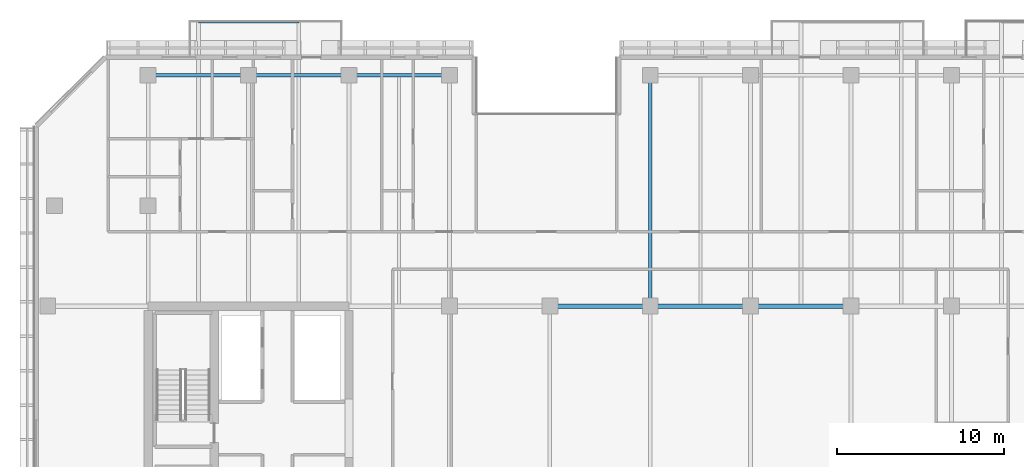
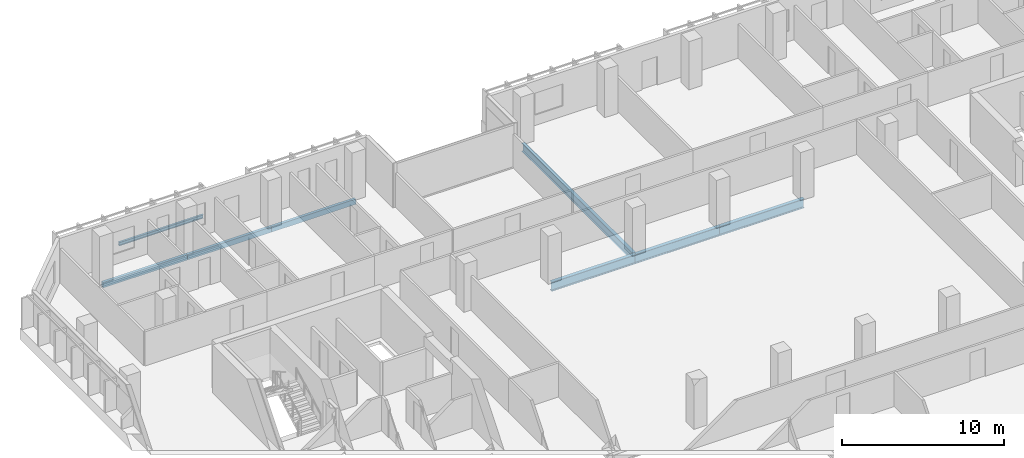
# One storey, part 7 of 23: 8 beams.
"""IFC4 building model written with IfcOpenShell, lengths in metres."""

from ifc_helpers import new_model, si_unit, direction, frame, origin, origin_2d, place, context, subcontext, project, spatial, hollow_rectangle, i_section, extrude, material, material_profile, profile_set, type_object, element, save


model = new_model("IFC4")

# Units and contexts
model_context = context("Model", 3, precision=1e-05, world=origin(), true_north=direction((0.0, 1.0)))
body_context = subcontext(model_context, "Body", "Model", "MODEL_VIEW")
ifc_project = project(units=[si_unit("LENGTHUNIT", "METRE"), si_unit("AREAUNIT", "SQUARE_METRE"), si_unit("VOLUMEUNIT", "CUBIC_METRE"), si_unit("PLANEANGLEUNIT", "RADIAN"), si_unit("MASSUNIT", "GRAM", prefix="KILO")], contexts=[model_context])

# Site, building, storey
site_placement = place(None, origin())
site = spatial("IfcSite", under=ifc_project, at=site_placement, CompositionType="ELEMENT")
building_placement = place(site_placement, origin())
building = spatial("IfcBuilding", under=site, at=building_placement, Name="Tanjung Sevakor Pilgrim Tower", CompositionType="ELEMENT")
storey_placement = place(building_placement, frame((0.0, 0.0, 119.4599609375)))
storey = spatial("IfcBuildingStorey", under=building, at=storey_placement, Name="L33", CompositionType="ELEMENT", Elevation=119.4599609375)

# Beams
ifc_material_1 = material(Name="Steel S355J2", Category="steel")
ifc_material_profile_1 = material_profile(ifc_material_1, i_section(OverallWidth=0.25439453125, OverallDepth=0.6875, WebThickness=0.01318359375, FlangeThickness=0.02099609375, FilletRadius=0.01513671875, at=origin_2d()))
ifc_profile_set_1 = profile_set([ifc_material_profile_1], Name="Steel S355J2")
beam_type_1 = type_object("IfcBeamType", Name="BM-B-G2-UB_686x254x152", PredefinedType="BEAM", material=ifc_profile_set_1)
for number, where, z_axis, x_axis, name in (
    (1, (48.0, 42.60009765625, -0.563720703125), (1.0, 0.0, 0.0), (0.0, 1.0, 0.0), "L33 Primary Floor Girder MAIN Y426-04"),
    (2, (54.0, 42.60009765625, -0.563720703125), (1.0, 0.0, 0.0), (0.0, 1.0, 0.0), "L33 Primary Floor Girder MAIN Y426-05"),
    (3, (60.0, 42.60009765625, -0.563720703125), (1.0, 0.0, 0.0), (0.0, 1.0, 0.0), "L33 Primary Floor Girder MAIN Y426-06"),
):
    element("IfcBeam", number, at=place(storey_placement, frame(where, z_axis=z_axis, x_axis=x_axis)), inside=storey, type_object=beam_type_1, Name=name, PredefinedType="BEAM", context=body_context, shape_type="SweptSolid", body=[
        extrude(i_section(OverallWidth=0.25439453125, OverallDepth=0.6875, WebThickness=0.01318359375, FlangeThickness=0.02099609375, FilletRadius=0.01513671875, at=origin_2d()), origin(), (0.0, 0.0, 1.0), 6.0),
    ])
ifc_material_2 = material(Name="Steel S355J2", Category="steel")
ifc_material_profile_2 = material_profile(ifc_material_2, i_section(OverallWidth=0.230224609375, OverallDepth=0.6171875, WebThickness=0.01318359375, FlangeThickness=0.022216796875, FilletRadius=0.0126953125, at=origin_2d()))
ifc_profile_set_2 = profile_set([ifc_material_profile_2], Name="Steel S355J2")
beam_type_2 = type_object("IfcBeamType", Name="BM-B-G3-UB_610x229x140", PredefinedType="BEAM", material=ifc_profile_set_2)
beam_1_placement = place(storey_placement, frame((54.0, 42.60009765625, -0.528564453125), z_axis=(0.0, 1.0, 0.0), x_axis=(-1.0, 0.0, 0.0)))
element("IfcBeam", 4, at=beam_1_placement, inside=storey, type_object=beam_type_2, Name="L33 MAIN Girder 015", PredefinedType="BEAM", context=body_context, shape_type="SweptSolid", body=[
    extrude(i_section(OverallWidth=0.230224609375, OverallDepth=0.6171875, WebThickness=0.01318359375, FlangeThickness=0.022216796875, FilletRadius=0.0126953125, at=origin_2d()), origin(), (0.0, 0.0, 1.0), 13.7998046875),
])
ifc_material_3 = material(Name="Steel S355J2", Category="steel")
ifc_material_profile_3 = material_profile(ifc_material_3, i_section(OverallWidth=0.146484375, OverallDepth=0.256103515625, WebThickness=0.00634765625, FlangeThickness=0.010986328125, FilletRadius=0.007568359375, at=origin_2d()))
ifc_profile_set_3 = profile_set([ifc_material_profile_3], Name="Steel S355J2")
beam_type_3 = type_object("IfcBeamType", Name="BM-B-J6-UB_254x146x37", PredefinedType="JOIST", material=ifc_profile_set_3)
beam_2_placement = place(storey_placement, frame((27.0, 59.580078125, -0.327880859375), z_axis=(1.0, 0.0, 0.0), x_axis=(0.0, 1.0, 0.0)))
element("IfcBeam", 5, at=beam_2_placement, inside=storey, type_object=beam_type_3, Name="L33 Balcony Rim Tie MAIN-N1", PredefinedType="JOIST", context=body_context, shape_type="SweptSolid", body=[
    extrude(i_section(OverallWidth=0.146484375, OverallDepth=0.256103515625, WebThickness=0.00634765625, FlangeThickness=0.010986328125, FilletRadius=0.007568359375, at=origin_2d()), origin(), (0.0, 0.0, 1.0), 6.0),
])
ifc_material_4 = material(Name="Steel S355J2", Category="steel")
ifc_material_profile_4 = material_profile(ifc_material_4, hollow_rectangle(XDim=0.199951171875, YDim=0.39990234375, WallThickness=0.01611328125, at=origin_2d()))
ifc_profile_set_4 = profile_set([ifc_material_profile_4], Name="Steel S355J2")
beam_type_4 = type_object("IfcBeamType", Name="BM-B-SP2-RHS_400x200x16", PredefinedType="SPANDREL", material=ifc_profile_set_4)
for number, where, z_axis, x_axis, name in (
    (6, (24.0, 56.39990234375, -0.419921875), (1.0, 0.0, 0.0), (0.0, 1.0, 0.0), "L33 Spandrel MAIN N-02"),
    (7, (30.0, 56.39990234375, -0.419921875), (1.0, 0.0, 0.0), (0.0, 1.0, 0.0), "L33 Spandrel MAIN N-04"),
    (8, (36.0, 56.39990234375, -0.419921875), (1.0, 0.0, 0.0), (0.0, 1.0, 0.0), "L33 Spandrel MAIN N-06"),
):
    element("IfcBeam", number, at=place(storey_placement, frame(where, z_axis=z_axis, x_axis=x_axis)), inside=storey, type_object=beam_type_4, Name=name, PredefinedType="SPANDREL", context=body_context, shape_type="SweptSolid", body=[
        extrude(hollow_rectangle(XDim=0.199951171875, YDim=0.39990234375, WallThickness=0.01611328125, at=origin_2d()), origin(), (0.0, 0.0, 1.0), 6.0),
    ])

save(model, "model.ifc")
